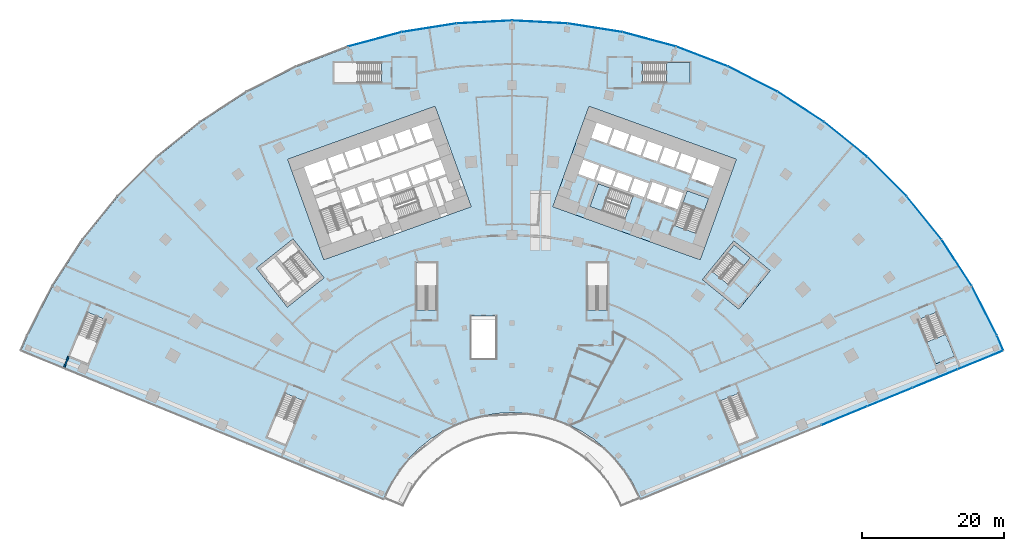
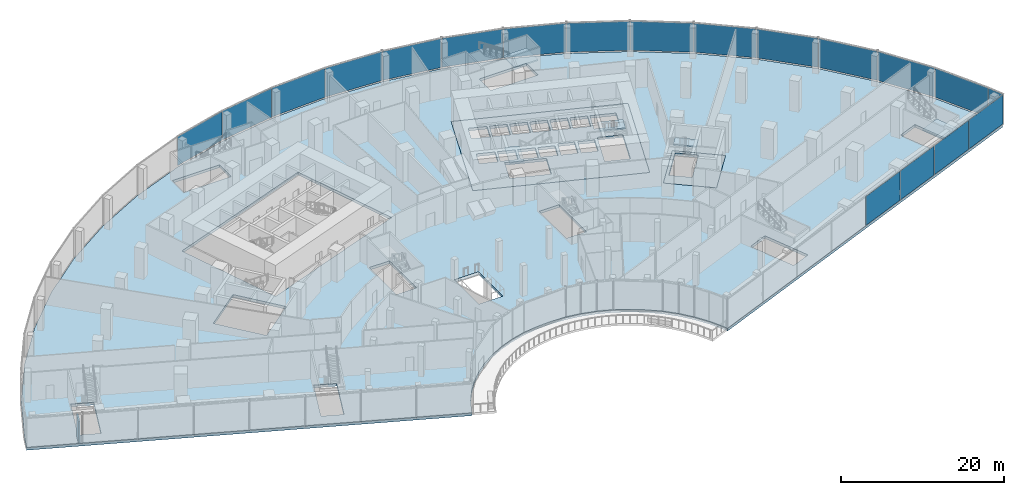
# One storey, part 21 of 40: 19 plates, 8 slabs, 1 wall, 7 elements without a shape of their own.
"""IFC4 building model written with IfcOpenShell, lengths in metres."""

from ifc_helpers import new_model, si_unit, direction, frame, frame_2d, origin, origin_2d, place, context, subcontext, project, spatial, polyline, rectangle, outline, extrude, material, layer, layer_set, type_object, element, aggregate, save


model = new_model("IFC4")

# Units and contexts
model_context = context("Model", 3, precision=1e-05, world=origin(), true_north=direction((0.0, 1.0)))
body_context = subcontext(model_context, "Body", "Model", "MODEL_VIEW")
ifc_project = project(units=[si_unit("LENGTHUNIT", "METRE"), si_unit("AREAUNIT", "SQUARE_METRE"), si_unit("VOLUMEUNIT", "CUBIC_METRE"), si_unit("PLANEANGLEUNIT", "RADIAN"), si_unit("MASSUNIT", "GRAM", prefix="KILO")], contexts=[model_context])

# Site, building, storey
site_placement = place(None, origin())
site = spatial("IfcSite", under=ifc_project, at=site_placement, CompositionType="ELEMENT")
building_placement = place(site_placement, origin())
building = spatial("IfcBuilding", under=site, at=building_placement, Name="Stone Belt Terrace Tower", CompositionType="ELEMENT")
storey_placement = place(building_placement, frame((0.0, 0.0, 7.0)))
storey = spatial("IfcBuildingStorey", under=building, at=storey_placement, Name="L01", CompositionType="ELEMENT", Elevation=7.0)

# Curtain wall, plates
ifc_material_1 = material(Name="Aluminium 6063-T6 anodised frame", Category="aluminium")
ifc_layer_1 = layer(ifc_material_1, 0.14990234375)
ifc_layer_set_1 = layer_set([ifc_layer_1], Name="CW-D podium shopfront")
curtain_wall_type = type_object("IfcCurtainWallType", Name="CW-D podium shopfront", PredefinedType="NOTDEFINED", material=ifc_layer_set_1)
curtain_wall_1_placement = place(storey_placement, origin())
curtain_wall_1 = element("IfcCurtainWall", 1, at=curtain_wall_1_placement, inside=storey, type_object=curtain_wall_type, Name="CW-D end face L01", PredefinedType="NOTDEFINED")
ifc_material_2 = material(Name="Clear double glazed unit")
ifc_layer_2 = layer(ifc_material_2, 0.031982421875)
ifc_layer_set_2 = layer_set([ifc_layer_2], Name="CW-D glass panel 32")
plate_type = type_object("IfcPlateType", Name="CW-D glass panel 32", PredefinedType="CURTAIN_PANEL", material=ifc_layer_set_2)
plate_1_placement = place(storey_placement, frame((46.697998046875, 19.05859375, 0.14013671875), z_axis=(0.0, 0.0, 1.0), x_axis=(0.925297074342, 0.379243093825, 0.0)))
plate_1 = element("IfcPlate", 2, at=plate_1_placement, type_object=plate_type, Name="CW-D panel 5.1", PredefinedType="CURTAIN_PANEL", context=body_context, shape_type="SweptSolid", body=[
    extrude(rectangle(XDim=6.81494140625, YDim=0.031982421875, at=origin_2d()), origin(), (0.0, 0.0, 1.0), 4.320068359375),
])
plate_2_placement = place(storey_placement, frame((53.0595703125, 21.666015625, 0.14013671875), z_axis=(0.0, 0.0, 1.0), x_axis=(0.925297074342, 0.379243093825, 0.0)))
plate_2 = element("IfcPlate", 3, at=plate_2_placement, type_object=plate_type, Name="CW-D panel 6.1", PredefinedType="CURTAIN_PANEL", context=body_context, shape_type="SweptSolid", body=[
    extrude(rectangle(XDim=6.81494140625, YDim=0.031982421875, at=origin_2d()), origin(), (0.0, 0.0, 1.0), 4.320068359375),
])
plate_3_placement = place(storey_placement, frame((59.4208984375, 24.273193359375, 0.14013671875), z_axis=(0.0, 0.0, 1.0), x_axis=(0.925297074342, 0.379243093825, 0.0)))
plate_3 = element("IfcPlate", 4, at=plate_3_placement, type_object=plate_type, Name="CW-D panel 7.1", PredefinedType="CURTAIN_PANEL", context=body_context, shape_type="SweptSolid", body=[
    extrude(rectangle(XDim=6.81494140625, YDim=0.031982421875, at=origin_2d()), origin(), (0.0, 0.0, 1.0), 4.320068359375),
])
plate_4_placement = place(storey_placement, frame((65.797119140625, 26.886474609375, 0.14013671875), z_axis=(0.0, 0.0, 1.0), x_axis=(0.925297074342, 0.379243093825, 0.0)))
plate_4 = element("IfcPlate", 5, at=plate_4_placement, type_object=plate_type, Name="CW-D panel 8.1", PredefinedType="CURTAIN_PANEL", context=body_context, shape_type="SweptSolid", body=[
    extrude(rectangle(XDim=6.8466796875, YDim=0.031982421875, at=origin_2d()), origin(), (0.0, 0.0, 1.0), 4.320068359375),
])
aggregate(curtain_wall_1, [plate_1, plate_2, plate_3, plate_4])

curtain_wall_2_placement = place(storey_placement, origin())
curtain_wall_2 = element("IfcCurtainWall", 6, at=curtain_wall_2_placement, inside=storey, type_object=curtain_wall_type, Name="CW-D convex face L01", PredefinedType="NOTDEFINED")
plate_5_placement = place(storey_placement, frame((68.572021484375, 29.292724609375, 0.14013671875), z_axis=(0.0, 0.0, 1.0), x_axis=(-0.393033792222, 0.919524028056, 0.0)))
plate_5 = element("IfcPlate", 7, at=plate_5_placement, type_object=plate_type, Name="CW-D panel 1.1", PredefinedType="CURTAIN_PANEL", context=body_context, shape_type="SweptSolid", body=[
    extrude(rectangle(XDim=2.19921875, YDim=0.031982421875, at=origin_2d()), origin(), (0.0, 0.0, 1.0), 4.320068359375),
])
plate_6_placement = place(storey_placement, frame((66.355712890625, 33.81005859375, 0.14013671875), z_axis=(0.0, 0.0, 1.0), x_axis=(-0.45399049974, 0.891006524188, 0.0)))
plate_6 = element("IfcPlate", 8, at=plate_6_placement, type_object=plate_type, Name="CW-D panel 2.1", PredefinedType="CURTAIN_PANEL", context=body_context, shape_type="SweptSolid", body=[
    extrude(rectangle(XDim=7.738037109375, YDim=0.031982421875, at=origin_2d()), origin(), (0.0, 0.0, 1.0), 4.320068359375),
])
plate_7_placement = place(storey_placement, frame((62.458251953125, 40.560791015625, 0.14013671875), z_axis=(0.0, 0.0, 1.0), x_axis=(-0.544639035015, 0.838670567945, 0.0)))
plate_7 = element("IfcPlate", 9, at=plate_7_placement, type_object=plate_type, Name="CW-D panel 3.1", PredefinedType="CURTAIN_PANEL", context=body_context, shape_type="SweptSolid", body=[
    extrude(rectangle(XDim=7.738037109375, YDim=0.031982421875, at=origin_2d()), origin(), (0.0, 0.0, 1.0), 4.320068359375),
])
plate_8_placement = place(storey_placement, frame((57.876220703125, 46.867431640625, 0.14013671875), z_axis=(0.0, 0.0, 1.0), x_axis=(-0.62932039105, 0.777145961457, 0.0)))
plate_8 = element("IfcPlate", 10, at=plate_8_placement, type_object=plate_type, Name="CW-D panel 4.1", PredefinedType="CURTAIN_PANEL", context=body_context, shape_type="SweptSolid", body=[
    extrude(rectangle(XDim=7.738037109375, YDim=0.031982421875, at=origin_2d()), origin(), (0.0, 0.0, 1.0), 4.320068359375),
])
plate_9_placement = place(storey_placement, frame((52.660400390625, 52.660400390625, 0.14013671875), z_axis=(0.0, 0.0, 1.0), x_axis=(-0.707106781187, 0.707106781187, 0.0)))
plate_9 = element("IfcPlate", 11, at=plate_9_placement, type_object=plate_type, Name="CW-D panel 5.1", PredefinedType="CURTAIN_PANEL", context=body_context, shape_type="SweptSolid", body=[
    extrude(rectangle(XDim=7.738037109375, YDim=0.031982421875, at=origin_2d()), origin(), (0.0, 0.0, 1.0), 4.320068359375),
])
plate_10_placement = place(storey_placement, frame((46.867431640625, 57.876220703125, 0.14013671875), z_axis=(0.0, 0.0, 1.0), x_axis=(-0.777145961457, 0.62932039105, 0.0)))
plate_10 = element("IfcPlate", 12, at=plate_10_placement, type_object=plate_type, Name="CW-D panel 6.1", PredefinedType="CURTAIN_PANEL", context=body_context, shape_type="SweptSolid", body=[
    extrude(rectangle(XDim=7.738037109375, YDim=0.031982421875, at=origin_2d()), origin(), (0.0, 0.0, 1.0), 4.320068359375),
])
plate_11_placement = place(storey_placement, frame((40.560791015625, 62.458251953125, 0.14013671875), z_axis=(0.0, 0.0, 1.0), x_axis=(-0.838670567945, 0.544639035015, 0.0)))
plate_11 = element("IfcPlate", 13, at=plate_11_placement, type_object=plate_type, Name="CW-D panel 7.1", PredefinedType="CURTAIN_PANEL", context=body_context, shape_type="SweptSolid", body=[
    extrude(rectangle(XDim=7.738037109375, YDim=0.031982421875, at=origin_2d()), origin(), (0.0, 0.0, 1.0), 4.320068359375),
])
plate_12_placement = place(storey_placement, frame((33.81005859375, 66.35595703125, 0.14013671875), z_axis=(0.0, 0.0, 1.0), x_axis=(-0.891006524188, 0.45399049974, 0.0)))
plate_12 = element("IfcPlate", 14, at=plate_12_placement, type_object=plate_type, Name="CW-D panel 8.1", PredefinedType="CURTAIN_PANEL", context=body_context, shape_type="SweptSolid", body=[
    extrude(rectangle(XDim=7.738037109375, YDim=0.031982421875, at=origin_2d()), origin(), (0.0, 0.0, 1.0), 4.320068359375),
])
plate_13_placement = place(storey_placement, frame((26.688720703125, 69.5263671875, 0.14013671875), z_axis=(0.0, 0.0, 1.0), x_axis=(-0.933580426497, 0.358367949545, 0.0)))
plate_13 = element("IfcPlate", 15, at=plate_13_placement, type_object=plate_type, Name="CW-D panel 9.1", PredefinedType="CURTAIN_PANEL", context=body_context, shape_type="SweptSolid", body=[
    extrude(rectangle(XDim=7.738037109375, YDim=0.031982421875, at=origin_2d()), origin(), (0.0, 0.0, 1.0), 4.320068359375),
])
plate_14_placement = place(storey_placement, frame((19.27490234375, 71.935302734375, 0.14013671875), z_axis=(0.0, 0.0, 1.0), x_axis=(-0.965925826289, 0.258819045103, 0.0)))
plate_14 = element("IfcPlate", 16, at=plate_14_placement, type_object=plate_type, Name="CW-D panel 10.1", PredefinedType="CURTAIN_PANEL", context=body_context, shape_type="SweptSolid", body=[
    extrude(rectangle(XDim=7.738037109375, YDim=0.031982421875, at=origin_2d()), origin(), (0.0, 0.0, 1.0), 4.320068359375),
])
plate_15_placement = place(storey_placement, frame((11.650146484375, 73.555908203125, 0.14013671875), z_axis=(0.0, 0.0, 1.0), x_axis=(-0.987688340595, 0.15643446504, 0.0)))
plate_15 = element("IfcPlate", 17, at=plate_15_placement, type_object=plate_type, Name="CW-D panel 11.1", PredefinedType="CURTAIN_PANEL", context=body_context, shape_type="SweptSolid", body=[
    extrude(rectangle(XDim=7.738037109375, YDim=0.031982421875, at=origin_2d()), origin(), (0.0, 0.0, 1.0), 4.320068359375),
])
plate_16_placement = place(storey_placement, frame((3.897705078125, 74.370849609375, 0.14013671875), z_axis=(0.0, 0.0, 1.0), x_axis=(-0.998629534755, 0.052335956243, 0.0)))
plate_16 = element("IfcPlate", 18, at=plate_16_placement, type_object=plate_type, Name="CW-D panel 12.1", PredefinedType="CURTAIN_PANEL", context=body_context, shape_type="SweptSolid", body=[
    extrude(rectangle(XDim=7.738037109375, YDim=0.031982421875, at=origin_2d()), origin(), (0.0, 0.0, 1.0), 4.320068359375),
])
plate_17_placement = place(storey_placement, frame((-3.897705078125, 74.370849609375, 0.14013671875), z_axis=(0.0, 0.0, 1.0), x_axis=(-0.998629534755, -0.052335956243, 0.0)))
plate_17 = element("IfcPlate", 19, at=plate_17_placement, type_object=plate_type, Name="CW-D panel 13.1", PredefinedType="CURTAIN_PANEL", context=body_context, shape_type="SweptSolid", body=[
    extrude(rectangle(XDim=7.738037109375, YDim=0.031982421875, at=origin_2d()), origin(), (0.0, 0.0, 1.0), 4.320068359375),
])
plate_18_placement = place(storey_placement, frame((-11.650146484375, 73.555908203125, 0.14013671875), z_axis=(0.0, 0.0, 1.0), x_axis=(-0.987688340595, -0.15643446504, 0.0)))
plate_18 = element("IfcPlate", 20, at=plate_18_placement, type_object=plate_type, Name="CW-D panel 14.1", PredefinedType="CURTAIN_PANEL", context=body_context, shape_type="SweptSolid", body=[
    extrude(rectangle(XDim=7.738037109375, YDim=0.031982421875, at=origin_2d()), origin(), (0.0, 0.0, 1.0), 4.320068359375),
])
plate_19_placement = place(storey_placement, frame((-19.27490234375, 71.935302734375, 0.14013671875), z_axis=(0.0, 0.0, 1.0), x_axis=(-0.965925826289, -0.258819045103, 0.0)))
plate_19 = element("IfcPlate", 21, at=plate_19_placement, type_object=plate_type, Name="CW-D panel 15.1", PredefinedType="CURTAIN_PANEL", context=body_context, shape_type="SweptSolid", body=[
    extrude(rectangle(XDim=7.738037109375, YDim=0.031982421875, at=origin_2d()), origin(), (0.0, 0.0, 1.0), 4.320068359375),
])
aggregate(curtain_wall_2, [plate_5, plate_6, plate_7, plate_8, plate_9, plate_10, plate_11, plate_12, plate_13, plate_14, plate_15, plate_16, plate_17, plate_18, plate_19])

# Slabs
ifc_material_3 = material(Name="Concrete B40", Category="concrete")
ifc_layer_3 = layer(ifc_material_3, 0.39990234375)
ifc_layer_set_3 = layer_set([ifc_layer_3], Name="Core floor slab 400")
slab_type_1 = type_object("IfcSlabType", Name="Core floor slab 400", PredefinedType="FLOOR", material=ifc_layer_set_3)
slab_1_placement = place(storey_placement, frame((0.0, 0.0, -0.39990234375)))
element("IfcSlab", 22, at=slab_1_placement, inside=storey, type_object=slab_type_1, Name="Core B floor L01", PredefinedType="FLOOR", context=body_context, shape_type="SweptSolid", body=[
    extrude(outline(polyline([(26.43505859375, 40.968994140625), (31.513916015625, 55.0830078125), (10.81396484375, 62.531982421875), (5.735107421875, 48.4189453125), (26.43505859375, 40.968994140625)]), holes=[polyline([(12.10595703125, 51.652099609375), (16.998046875, 49.89208984375), (15.846923828125, 46.69189453125), (10.955078125, 48.452880859375), (12.10595703125, 51.652099609375)]), polyline([(19.239990234375, 51.68896484375), (18.5458984375, 49.760009765625), (16.52294921875, 50.488037109375), (17.217041015625, 52.4169921875), (19.239990234375, 51.68896484375)]), polyline([(16.239990234375, 50.589111328125), (14.169921875, 51.333984375), (14.864013671875, 53.262939453125), (16.93408203125, 52.51806640625), (16.239990234375, 50.589111328125)]), polyline([(14.58203125, 53.364990234375), (13.887939453125, 51.43603515625), (11.864990234375, 52.1640625), (11.847900390625, 52.116943359375), (11.801025390625, 52.134033203125), (12.511962890625, 54.110107421875), (14.58203125, 53.364990234375)]), polyline([(9.30810546875, 53.031005859375), (10.01904296875, 55.007080078125), (12.22998046875, 54.2109375), (11.51904296875, 52.235107421875), (9.30810546875, 53.031005859375)]), polyline([(16.743896484375, 58.485107421875), (18.81396484375, 57.739990234375), (18.052001953125, 55.623046875), (15.98193359375, 56.367919921875), (16.743896484375, 58.485107421875)]), polyline([(14.39111328125, 59.33203125), (16.4609375, 58.5869140625), (15.699951171875, 56.469970703125), (13.6298828125, 57.215087890625), (14.39111328125, 59.33203125)]), polyline([(11.89794921875, 60.22900390625), (14.10888671875, 59.43408203125), (13.346923828125, 57.31591796875), (11.135986328125, 58.112060546875), (11.89794921875, 60.22900390625)]), polyline([(25.85888671875, 44.68408203125), (22.847900390625, 45.76806640625), (24.60791015625, 50.659912109375), (27.618896484375, 49.575927734375), (25.85888671875, 44.68408203125)]), polyline([(21.27392578125, 48.778076171875), (22.0869140625, 51.035888671875), (24.06298828125, 50.324951171875), (23.25, 48.06689453125), (21.27392578125, 48.778076171875)]), polyline([(18.922119140625, 49.6240234375), (19.735107421875, 51.883056640625), (21.7109375, 51.1708984375), (20.89794921875, 48.9130859375), (18.922119140625, 49.6240234375)]), polyline([(29.2109375, 53.9990234375), (28.24609375, 51.31689453125), (25.18798828125, 52.41796875), (26.153076171875, 55.09912109375), (29.2109375, 53.9990234375)]), polyline([(23.801025390625, 55.946044921875), (25.87109375, 55.200927734375), (25.10888671875, 53.083984375), (23.0390625, 53.8291015625), (23.801025390625, 55.946044921875)]), polyline([(21.447998046875, 56.7919921875), (23.51806640625, 56.047119140625), (22.756103515625, 53.929931640625), (20.68603515625, 54.675048828125), (21.447998046875, 56.7919921875)]), polyline([(19.095947265625, 57.638916015625), (21.166015625, 56.89404296875), (20.404052734375, 54.777099609375), (18.333984375, 55.52197265625), (19.095947265625, 57.638916015625)])]), origin(), (0.0, 0.0, 1.0), 0.39990234375),
])
slab_2_placement = place(storey_placement, frame((0.0, 0.0, -0.39990234375)))
element("IfcSlab", 23, at=slab_2_placement, inside=storey, type_object=slab_type_1, Name="Exit stair ST3B floor L01", PredefinedType="FLOOR", context=body_context, shape_type="SweptSolid", body=[
    extrude(outline(polyline([(26.741943359375, 38.18408203125), (31.866943359375, 34.02392578125), (36.278076171875, 39.458984375), (31.154052734375, 43.618896484375), (26.741943359375, 38.18408203125)]), holes=[polyline([(30.407958984375, 37.462890625), (28.156005859375, 39.291015625), (31.2119140625, 43.055908203125), (33.464111328125, 41.22802734375), (30.407958984375, 37.462890625)])]), origin(), (0.0, 0.0, 1.0), 0.39990234375),
])
ifc_layer_4 = layer(ifc_material_3, 0.39990234375)
ifc_layer_set_4 = layer_set([ifc_layer_4], Name="Floor slab 400 B40")
slab_type_2 = type_object("IfcSlabType", Name="Floor slab 400 B40", PredefinedType="FLOOR", material=ifc_layer_set_4)
slab_3_placement = place(storey_placement, frame((0.0, 0.0, -0.39990234375)))
element("IfcSlab", 24, at=slab_3_placement, inside=storey, type_object=slab_type_2, Name="Floor slab L01", PredefinedType="FLOOR", context=body_context, shape_type="SweptSolid", body=[
    extrude(outline(polyline([(0.0, 74.5), (7.787353515625, 74.091796875), (15.489501953125, 72.8720703125), (23.021728515625, 70.853759765625), (30.302001953125, 68.05908203125), (37.25, 64.518798828125), (43.7900390625, 60.271728515625), (49.85009765625, 55.3642578125), (55.3642578125, 49.85009765625), (60.271728515625, 43.7900390625), (64.518798828125, 37.25), (68.05908203125, 30.302001953125), (68.9345703125, 28.253662109375), (18.043212890625, 7.395263671875), (17.814208984375, 7.931396484375), (16.887451171875, 9.75), (15.77587890625, 11.4619140625), (14.4912109375, 13.048095703125), (13.048095703125, 14.4912109375), (11.4619140625, 15.77587890625), (9.75, 16.887451171875), (7.931396484375, 17.814208984375), (6.02587890625, 18.545654296875), (4.05419921875, 19.073974609375), (2.038330078125, 19.393310546875), (0.0, 19.5), (-2.038330078125, 19.393310546875), (-4.05419921875, 19.073974609375), (-6.02587890625, 18.545654296875), (-7.931396484375, 17.814208984375), (-9.75, 16.887451171875), (-11.4619140625, 15.77587890625), (-13.048095703125, 14.4912109375), (-14.4912109375, 13.048095703125), (-15.77587890625, 11.4619140625), (-16.887451171875, 9.75), (-17.814208984375, 7.931396484375), (-18.043212890625, 7.395263671875), (-68.9345703125, 28.253662109375), (-68.05908203125, 30.302001953125), (-64.518798828125, 37.25), (-60.271728515625, 43.7900390625), (-55.3642578125, 49.85009765625), (-49.85009765625, 55.3642578125), (-43.7900390625, 60.271728515625), (-37.25, 64.518798828125), (-30.302001953125, 68.05908203125), (-23.021728515625, 70.853759765625), (-15.489501953125, 72.8720703125), (-7.787353515625, 74.091796875), (0.0, 74.5)]), holes=[polyline([(-5.734619140625, 48.418701171875), (-10.81396484375, 62.532470703125), (-31.51416015625, 55.082763671875), (-26.434814453125, 40.968994140625), (-5.734619140625, 48.418701171875)]), polyline([(5.734619140625, 48.418701171875), (26.434814453125, 40.968994140625), (31.51416015625, 55.082763671875), (10.81396484375, 62.532470703125), (5.734619140625, 48.418701171875)]), polyline([(-29.243896484375, 21.135986328125), (-31.881103515625, 22.217041015625), (-34.407958984375, 16.051025390625), (-31.77099609375, 14.969970703125), (-29.243896484375, 21.135986328125)]), polyline([(-59.530029296875, 26.347900390625), (-57.0029296875, 32.513916015625), (-59.639892578125, 33.594970703125), (-62.1669921875, 27.427978515625), (-59.530029296875, 26.347900390625)]), polyline([(31.77099609375, 14.969970703125), (34.407958984375, 16.051025390625), (31.881103515625, 22.217041015625), (29.243896484375, 21.135986328125), (31.77099609375, 14.969970703125)]), polyline([(57.0029296875, 32.513916015625), (59.530029296875, 26.347900390625), (62.1669921875, 27.427978515625), (59.639892578125, 33.594970703125), (57.0029296875, 32.513916015625)]), polyline([(-13.425048828125, 33.89306640625), (-10.574951171875, 33.89306640625), (-10.574951171875, 40.556884765625), (-13.425048828125, 40.556884765625), (-13.425048828125, 33.89306640625)]), polyline([(10.574951171875, 40.556884765625), (10.574951171875, 33.89306640625), (13.425048828125, 33.89306640625), (13.425048828125, 40.556884765625), (10.574951171875, 40.556884765625)]), polyline([(-25.007080078125, 68.675048828125), (-25.007080078125, 65.824951171875), (-18.343017578125, 65.824951171875), (-18.343017578125, 68.675048828125), (-25.007080078125, 68.675048828125)]), polyline([(18.343017578125, 65.824951171875), (25.007080078125, 65.824951171875), (25.007080078125, 68.675048828125), (18.343017578125, 68.675048828125), (18.343017578125, 65.824951171875)]), polyline([(-5.699951171875, 27.10009765625), (-2.300048828125, 27.10009765625), (-2.300048828125, 33.10009765625), (-5.699951171875, 33.10009765625), (-5.699951171875, 27.10009765625)]), polyline([(-35.91796875, 39.787353515625), (-31.55615234375, 34.3125), (-26.39404296875, 38.425048828125), (-30.756103515625, 43.89990234375), (-35.91796875, 39.787353515625)]), polyline([(36.2783203125, 39.459228515625), (31.15380859375, 43.61865234375), (26.742431640625, 38.18359375), (31.86669921875, 34.024169921875), (36.2783203125, 39.459228515625)])]), origin(), (0.0, 0.0, 1.0), 0.39990234375),
])

# Stair, slab
ifc_material_4 = material(Name="Concrete B30", Category="concrete")
stair_type_1 = type_object("IfcStairType", Name="Podium stair concrete B30", PredefinedType="HALF_TURN_STAIR", material=ifc_material_4)
stair_1_placement = place(storey_placement, origin())
stair_1 = element("IfcStair", 25, at=stair_1_placement, inside=storey, type_object=stair_type_1, Name="L01 podium exit stair 4", PredefinedType="HALF_TURN_STAIR")
ifc_layer_5 = layer(ifc_material_4, 0.199951171875)
ifc_layer_set_5 = layer_set([ifc_layer_5], Name="Podium stair landing concrete B30")
slab_type_3 = type_object("IfcSlabType", Name="Podium stair landing concrete B30", PredefinedType="LANDING", material=ifc_layer_set_5)
slab_4_placement = place(storey_placement, frame((0.0, 0.0, 2.10009765625)))
slab_4 = element("IfcSlab", 26, at=slab_4_placement, type_object=slab_type_3, Name="PS4 landing 1", PredefinedType="LANDING", context=body_context, shape_type="SweptSolid", body=[
    extrude(outline(polyline([(58.274658203125, 29.410400390625), (59.531005859375, 26.3447265625), (62.168212890625, 27.425537109375), (60.91162109375, 30.4912109375), (58.274658203125, 29.410400390625)])), origin(), (0.0, 0.0, 1.0), 0.199951171875),
])
aggregate(stair_1, [slab_4])

stair_2_placement = place(storey_placement, origin())
stair_2 = element("IfcStair", 27, at=stair_2_placement, inside=storey, type_object=stair_type_1, Name="L01 podium exit stair 8", PredefinedType="HALF_TURN_STAIR")
slab_5_placement = place(storey_placement, frame((0.0, 0.0, 2.10009765625)))
slab_5 = element("IfcSlab", 28, at=slab_5_placement, type_object=slab_type_3, Name="PS8 landing 1", PredefinedType="LANDING", context=body_context, shape_type="SweptSolid", body=[
    extrude(outline(polyline([(21.697021484375, 65.824951171875), (25.010009765625, 65.824951171875), (25.010009765625, 68.675048828125), (21.697021484375, 68.675048828125), (21.697021484375, 65.824951171875)])), origin(), (0.0, 0.0, 1.0), 0.199951171875),
])
aggregate(stair_2, [slab_5])

stair_type_2 = type_object("IfcStairType", Name="Exit stair 1500", PredefinedType="HALF_TURN_STAIR", material=ifc_material_3)
stair_3_placement = place(storey_placement, origin())
stair_3 = element("IfcStair", 29, at=stair_3_placement, inside=storey, type_object=stair_type_2, Name="L01 Exit stair 1 core B", PredefinedType="HALF_TURN_STAIR")
ifc_layer_6 = layer(ifc_material_3, 0.199951171875)
ifc_layer_set_6 = layer_set([ifc_layer_6], Name="Stair landing 200")
slab_type_4 = type_object("IfcSlabType", Name="Stair landing 200", PredefinedType="LANDING", material=ifc_layer_set_6)
slab_6_placement = place(storey_placement, frame((0.0, 0.0, 2.10009765625)))
slab_6 = element("IfcSlab", 30, at=slab_6_placement, type_object=slab_type_4, Name="ST1B landing 1", PredefinedType="LANDING", context=body_context, shape_type="SweptSolid", body=[
    extrude(outline(polyline([(26.99609375, 47.84423828125), (27.619384765625, 49.576171875), (24.6083984375, 50.659912109375), (23.985107421875, 48.927734375), (26.99609375, 47.84423828125)])), origin(), (0.0, 0.0, 1.0), 0.199951171875),
])
aggregate(stair_3, [slab_6])

stair_4_placement = place(storey_placement, origin())
stair_4 = element("IfcStair", 31, at=stair_4_placement, inside=storey, type_object=stair_type_2, Name="L01 Exit stair 2 core B", PredefinedType="HALF_TURN_STAIR")
slab_7_placement = place(storey_placement, frame((0.0, 0.0, 2.10009765625)))
slab_7 = element("IfcSlab", 32, at=slab_7_placement, type_object=slab_type_4, Name="ST2B landing 1", PredefinedType="LANDING", context=body_context, shape_type="SweptSolid", body=[
    extrude(outline(polyline([(13.837890625, 51.02880859375), (12.10595703125, 51.652099609375), (10.95458984375, 48.453125), (12.6865234375, 47.82958984375), (13.837890625, 51.02880859375)])), origin(), (0.0, 0.0, 1.0), 0.199951171875),
])
aggregate(stair_4, [slab_7])

stair_5_placement = place(storey_placement, origin())
stair_5 = element("IfcStair", 33, at=stair_5_placement, inside=storey, type_object=stair_type_2, Name="L01 Exit stair 3B", PredefinedType="HALF_TURN_STAIR")
slab_8_placement = place(storey_placement, frame((0.0, 0.0, 2.10009765625)))
slab_8 = element("IfcSlab", 34, at=slab_8_placement, type_object=slab_type_4, Name="ST3B landing 1", PredefinedType="LANDING", context=body_context, shape_type="SweptSolid", body=[
    extrude(outline(polyline([(32.5244140625, 40.07080078125), (33.4638671875, 41.228271484375), (31.21240234375, 43.055908203125), (30.272705078125, 41.8984375), (32.5244140625, 40.07080078125)])), origin(), (0.0, 0.0, 1.0), 0.199951171875),
])
aggregate(stair_5, [slab_8])

# Wall
ifc_material_5 = material(Name="Blockwork wall, plastered both faces", Category="masonry")
ifc_layer_7 = layer(ifc_material_5, 0.199951171875)
ifc_layer_set_7 = layer_set([ifc_layer_7], Name="Podium demising wall 200")
wall_type = type_object("IfcWallType", Name="Podium demising wall 200", PredefinedType="PARTITIONING", material=ifc_layer_set_7)
wall_placement = place(storey_placement, frame((-62.93994140625, 25.800048828125, 0.0), z_axis=(0.0, 0.0, 1.0), x_axis=(0.377466142262, 0.926023386015, 0.0)))
element("IfcWall", 35, at=wall_placement, inside=storey, type_object=wall_type, Name="Podium demising wall 200", PredefinedType="PARTITIONING", context=body_context, shape_type="SweptSolid", body=[
    extrude(rectangle(XDim=1.6953125, YDim=0.199951171875, at=frame_2d((0.84765625, 0.0))), origin(), (0.0, 0.0, 1.0), 3.300048828125),
])

save(model, "model.ifc")
